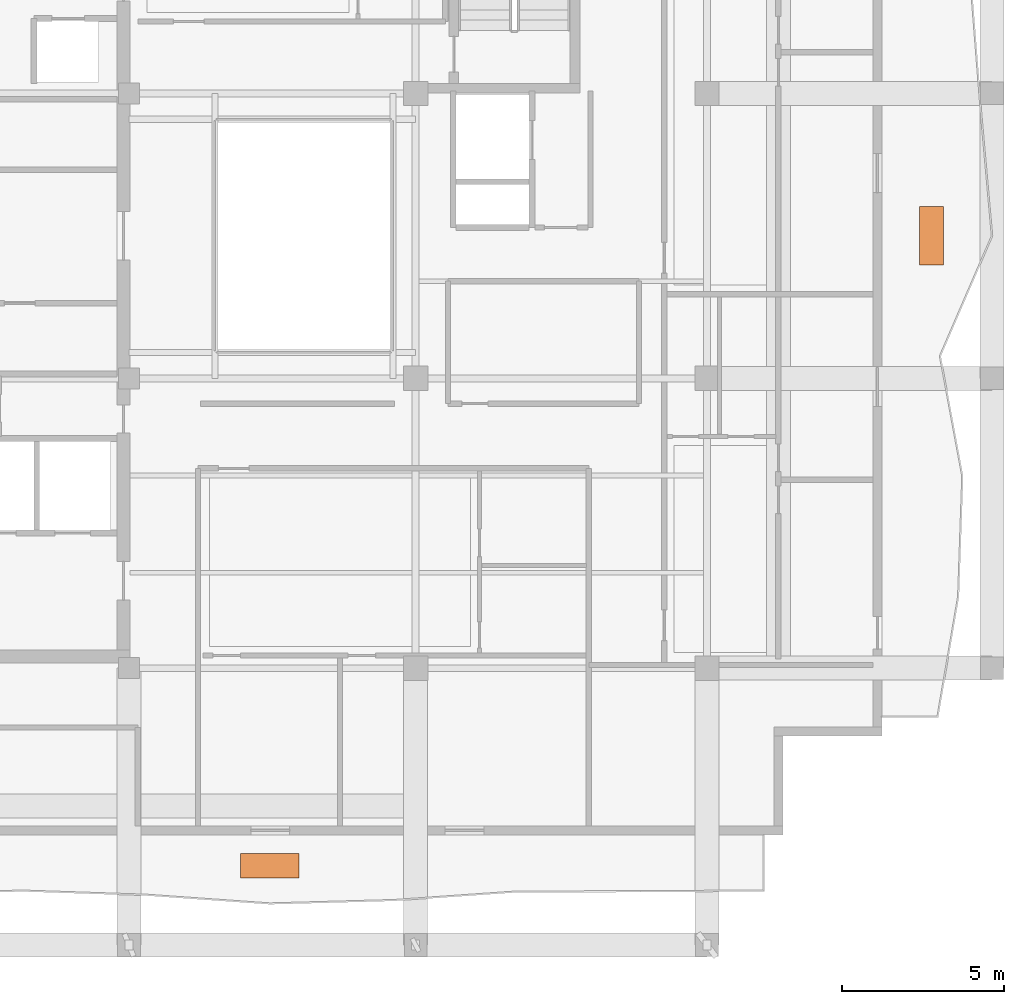
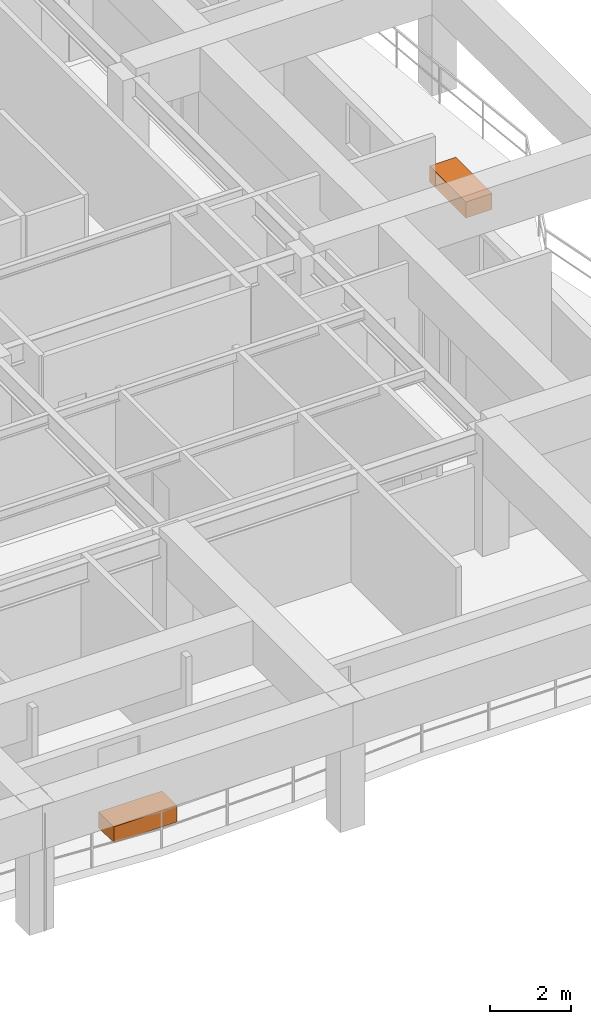
# One storey, part 10 of 10: 2 proxies.
"""IFC4 building model written with IfcOpenShell, lengths in metres."""

import ifcopenshell
import ifcopenshell.guid

model = None  # the IFC model being written
_history = None  # IfcOwnerHistory: only IFC2X3 demands one
_inside = {}  # id of a spatial element -> (the spatial element, [elements in it])
_under = {}  # id of a project, library or spatial element -> (it, [spatial elements below it])
_declared = {}  # id of a project -> (the project, [libraries it declares])
_typed = {}  # id of a type object -> (the type object, [elements of that type])
_made_of = {}  # id of a material, layer set ... -> (it, [elements and type objects made of it])


def new_model(schema):
    """Start an empty IFC model of exactly this schema.

    Asked for "IFC4X3", IfcOpenShell would pick the latest addendum, in which some entities
    have other attributes; the version numbers below select the first issue.
    IFC2X3 requires an IfcOwnerHistory on every rooted entity: one is made here for all.
    """
    global model, _history
    if schema == "IFC4X3":
        model = ifcopenshell.file(schema_version=(4, 3, 0, 0))
    else:
        model = ifcopenshell.file(schema=schema)
    _inside.clear()
    _under.clear()
    _declared.clear()
    _typed.clear()
    _made_of.clear()
    _history = None
    if model.schema == "IFC2X3":
        org = make("IfcOrganization", Name="unknown")
        user = make(
            "IfcPersonAndOrganization",
            ThePerson=make("IfcPerson", FamilyName="unknown"),
            TheOrganization=org,
        )
        app = make(
            "IfcApplication",
            ApplicationDeveloper=org,
            Version="unknown",
            ApplicationFullName="unknown",
            ApplicationIdentifier="unknown",
        )
        _history = make(
            "IfcOwnerHistory",
            OwningUser=user,
            OwningApplication=app,
            ChangeAction="ADDED",
            CreationDate=0,
        )
    return model


def make(cls, **values):
    """One entity of the class cls with the attributes given. An attribute that is None is left unset."""
    return model.create_entity(
        cls, **{name: value for name, value in values.items() if value is not None}
    )


def rooted(cls, **values):
    """An entity with a GlobalId (a new one), such as an element, a storey or a relation."""
    return make(cls, GlobalId=ifcopenshell.guid.new(), OwnerHistory=_history, **values)


def si_unit(unit_type, name, prefix=None):
    """IfcSIUnit, for example si_unit("LENGTHUNIT", "METRE", prefix="MILLI")."""
    return make("IfcSIUnit", UnitType=unit_type, Prefix=prefix, Name=name)


def assignment(units):
    """IfcUnitAssignment: the units of a project."""
    return None if units is None else make("IfcUnitAssignment", Units=units)


def point(xyz):
    """IfcCartesianPoint."""
    return None if xyz is None else make("IfcCartesianPoint", Coordinates=xyz)


def direction(xyz):
    """IfcDirection."""
    return None if xyz is None else make("IfcDirection", DirectionRatios=xyz)


def frame(location, z_axis=None, x_axis=None):
    """IfcAxis2Placement3D, a coordinate frame: its origin and axes. An axis left out is left unset."""
    return make(
        "IfcAxis2Placement3D",
        Location=point(location),
        Axis=direction(z_axis),
        RefDirection=direction(x_axis),
    )


def frame_2d(location, x_axis=None):
    """IfcAxis2Placement2D, a coordinate frame in the plane: its origin and x axis."""
    return make(
        "IfcAxis2Placement2D", Location=point(location), RefDirection=direction(x_axis)
    )


def origin():
    """The frame at (0, 0, 0) with its axes left unset."""
    return frame((0.0, 0.0, 0.0))


def origin_2d():
    """The frame at (0, 0) in the plane with its x axis left unset."""
    return frame_2d((0.0, 0.0))


def place(relative_to, where):
    """IfcLocalPlacement: puts the frame where relative to a parent placement (None: the world)."""
    return make(
        "IfcLocalPlacement", PlacementRelTo=relative_to, RelativePlacement=where
    )


def context(
    kind, dimensions, precision=None, world=None, true_north=None, identifier=None
):
    """IfcGeometricRepresentationContext, for example the 3D "Model" context."""
    return make(
        "IfcGeometricRepresentationContext",
        ContextIdentifier=identifier,
        ContextType=kind,
        CoordinateSpaceDimension=dimensions,
        Precision=precision,
        WorldCoordinateSystem=world,
        TrueNorth=true_north,
    )


def subcontext(parent, identifier, kind, view, scale=None):
    """IfcGeometricRepresentationSubContext, for example "Body" below "Model"."""
    return make(
        "IfcGeometricRepresentationSubContext",
        ContextIdentifier=identifier,
        ContextType=kind,
        ParentContext=parent,
        TargetScale=scale,
        TargetView=view,
    )


def project(units=None, contexts=None):
    """IfcProject with its units and contexts."""
    return rooted(
        "IfcProject",
        Name="project",
        RepresentationContexts=contexts,
        UnitsInContext=assignment(units),
    )


def spatial(cls, under=None, at=None, **own):
    """A site, building, storey or space (cls), placed at a placement, below another one or the project."""
    s = rooted(cls, ObjectPlacement=at, **own)
    if under is not None:
        _under.setdefault(under.id(), (under, []))[1].append(s)
    return s


def profile(cls, at=None, kind="AREA", **sizes):
    """A parametric profile (cls). Its sizes go by their IFC names, for example OverallWidth=200.0."""
    return make(cls, ProfileType=kind, Position=at, **sizes)


def rectangle(**sizes):
    """IfcRectangleProfileDef."""
    return profile("IfcRectangleProfileDef", **sizes)


def extrude(swept, where, along, depth):
    """IfcExtrudedAreaSolid: the profile swept, set in the frame where, extruded along a direction by depth."""
    return make(
        "IfcExtrudedAreaSolid",
        SweptArea=swept,
        Position=where,
        ExtrudedDirection=direction(along),
        Depth=depth,
    )


def shape(context_of_items, identifier, shape_type, items):
    """IfcShapeRepresentation: the items that make up one representation, for example the "Body"."""
    return make(
        "IfcShapeRepresentation",
        ContextOfItems=context_of_items,
        RepresentationIdentifier=identifier,
        RepresentationType=shape_type,
        Items=items,
    )


def material(Name=None, Category=None):
    """IfcMaterial."""
    return make("IfcMaterial", Name=Name, Category=Category)


def made_of(thing, what):
    """Note that an element or type object is made of a material, layer set ...; save() writes the relation."""
    if what is not None:
        _made_of.setdefault(what.id(), (what, []))[1].append(thing)
    return thing


def type_object(cls, material=None, **own):
    """A type object (cls), such as IfcWallType, which elements share."""
    return made_of(rooted(cls, **own), material)


def element(
    cls,
    number,
    at=None,
    inside=None,
    cuts=None,
    type_object=None,
    material=None,
    context=None,
    identifier="Body",
    shape_type=None,
    held_by="IfcProductDefinitionShape",
    body=None,
    shapes=None,
    **own,
):
    """One element of the class cls, such as IfcWall. Its Tag is "e" and its number.

    at: its placement. inside: the storey or other place that contains it. cuts: it is an
    opening in that element (IfcRelVoidsElement). A single representation is given by context,
    identifier, shape_type and body (its items); several are given by shapes. held_by: the class
    of the entity that holds the representations. save() writes the other relations.
    """
    e = rooted(cls, Tag="e%d" % number, ObjectPlacement=at, **own)
    if body is not None:
        shapes = [shape(context, identifier, shape_type, body)]
    if shapes is not None:
        e.Representation = make(held_by, Representations=shapes)
    if inside is not None:
        _inside.setdefault(inside.id(), (inside, []))[1].append(e)
    if cuts is not None:
        rooted(
            "IfcRelVoidsElement", RelatingBuildingElement=cuts, RelatedOpeningElement=e
        )
    if type_object is not None:
        _typed.setdefault(type_object.id(), (type_object, []))[1].append(e)
    return made_of(e, material)


def aggregate(whole, parts):
    """IfcRelAggregates: a whole, such as a stair, and the parts it consists of."""
    return rooted("IfcRelAggregates", RelatingObject=whole, RelatedObjects=parts)


def save(model, path):
    """Write the relations noted so far, then the file.

    IfcRelAggregates (storeys below a building ...), IfcRelContainedInSpatialStructure (elements
    in a storey), IfcRelDefinesByType, IfcRelAssociatesMaterial and IfcRelDeclares: one each for
    every whole, place, type object, material and project.
    """
    for whole, parts in _under.values():
        aggregate(whole, parts)
    for where, things in _inside.values():
        rooted(
            "IfcRelContainedInSpatialStructure",
            RelatedElements=things,
            RelatingStructure=where,
        )
    for kind, things in _typed.values():
        rooted("IfcRelDefinesByType", RelatedObjects=things, RelatingType=kind)
    for what, things in _made_of.values():
        rooted("IfcRelAssociatesMaterial", RelatedObjects=things, RelatingMaterial=what)
    for by, libraries in _declared.values():
        rooted("IfcRelDeclares", RelatingContext=by, RelatedDefinitions=libraries)
    model.write(path)


model = new_model("IFC4")

# Units and contexts
model_context = context("Model", 3, precision=1e-05, world=origin(), true_north=direction((0.0, 1.0)))
body_context = subcontext(model_context, "Body", "Model", "MODEL_VIEW")
ifc_project = project(units=[si_unit("LENGTHUNIT", "METRE"), si_unit("AREAUNIT", "SQUARE_METRE"), si_unit("VOLUMEUNIT", "CUBIC_METRE"), si_unit("PLANEANGLEUNIT", "RADIAN"), si_unit("MASSUNIT", "GRAM", prefix="KILO")], contexts=[model_context])

# Site, building, storey
site_placement = place(None, origin())
site = spatial("IfcSite", under=ifc_project, at=site_placement, CompositionType="ELEMENT")
building_placement = place(site_placement, origin())
building = spatial("IfcBuilding", under=site, at=building_placement, Name="Kundavana Baori Tower", CompositionType="ELEMENT")
storey_placement = place(building_placement, frame((0.0, 0.0, 323.89990234375)))
storey = spatial("IfcBuildingStorey", under=building, at=storey_placement, Name="L80", CompositionType="ELEMENT", Elevation=323.89990234375)

# Proxies
ifc_material = material(Name="Red-Buff Dholpur Sandstone Cladding on Concrete C40/50", Category="masonry")
building_element_proxy_type = type_object("IfcBuildingElementProxyType", Name="PRX-PLANTER-1800", PredefinedType="USERDEFINED", material=ifc_material)
for number, where, z_axis, x_axis, name in (
    (1, (29.300048828125, 9.14599609375, 0.0), (0.0, 0.0, 1.0), (1.0, 0.0, 0.0), "L80 Dholpur Stone Structural Tree Planter S"),
    (2, (49.72998046875, 28.60009765625, 0.0), (0.0, 0.0, 1.0), (0.0, 1.0, 0.0), "L80 Dholpur Stone Structural Tree Planter E"),
):
    element("IfcBuildingElementProxy", number, at=place(storey_placement, frame(where, z_axis=z_axis, x_axis=x_axis)), inside=storey, type_object=building_element_proxy_type, Name=name, ObjectType="PLANTER", PredefinedType="USERDEFINED", context=body_context, shape_type="SweptSolid", body=[
        extrude(rectangle(XDim=1.800048828125, YDim=0.75, at=origin_2d()), origin(), (0.0, 0.0, 1.0), 0.47998046875),
    ])

save(model, "model.ifc")
